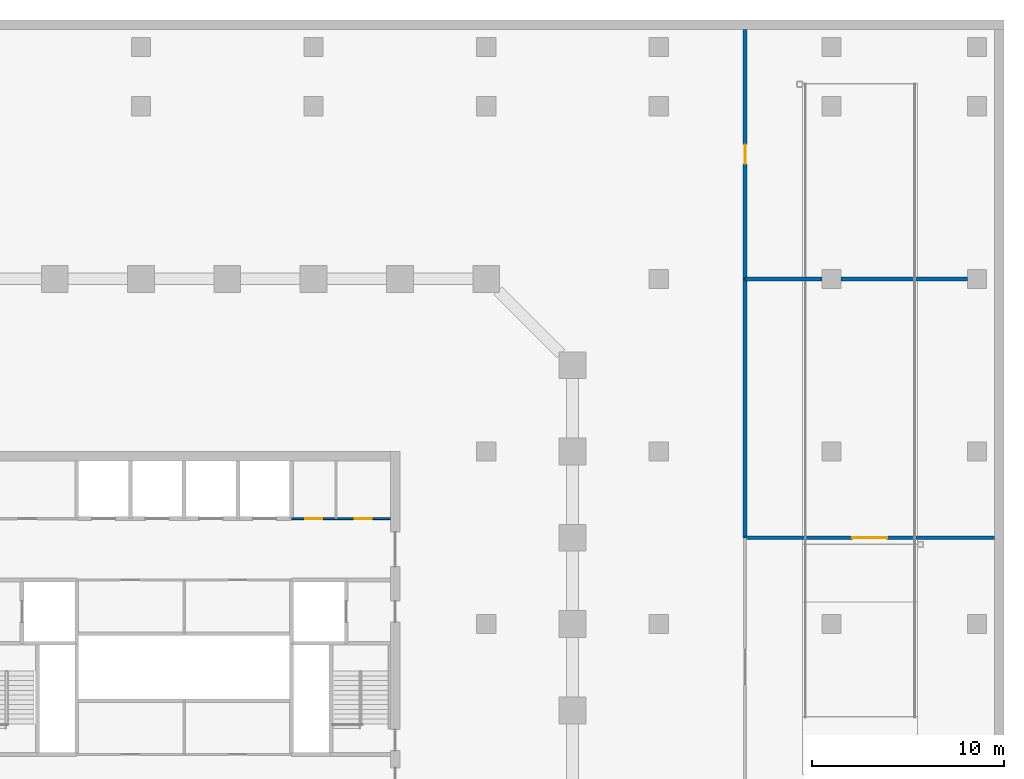
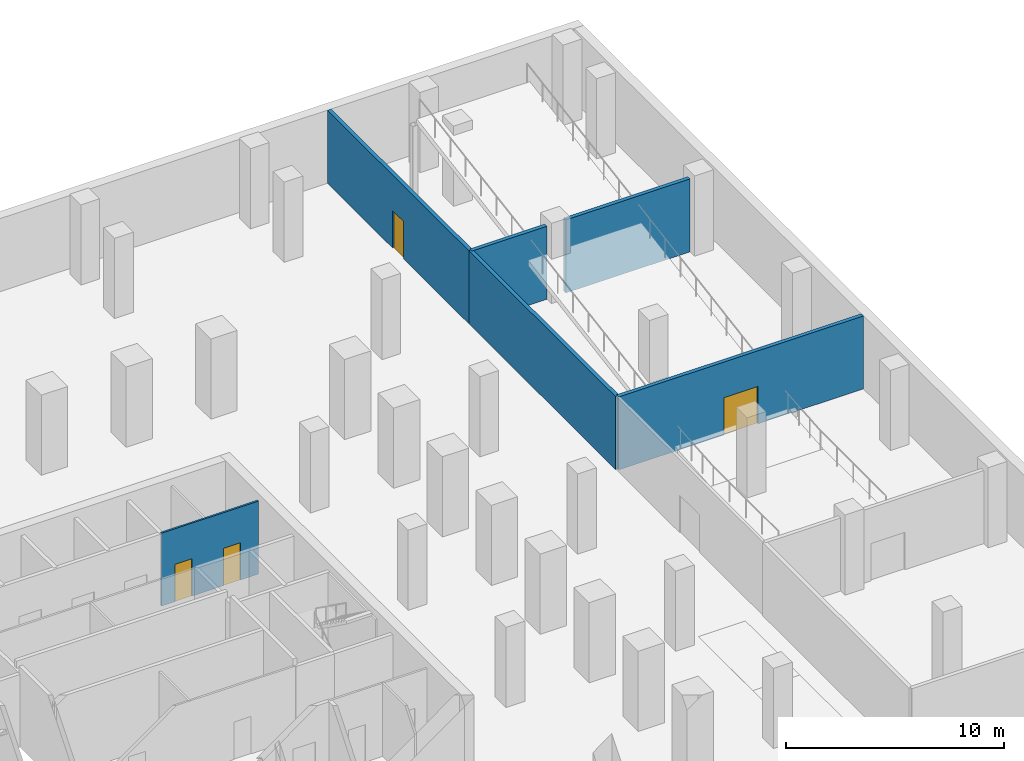
# One storey, part 13 of 16: 6 walls, 4 doors, 4 openings.
"""IFC4 building model written with IfcOpenShell, lengths in metres."""

from ifc_helpers import new_model, si_unit, direction, frame, frame_2d, origin, place, context, subcontext, project, spatial, rectangle, extrude, material, layer, layer_set, type_object, element, fill, save


model = new_model("IFC4")

# Units and contexts
model_context = context("Model", 3, precision=1e-05, world=origin(), true_north=direction((0.0, 1.0)))
body_context = subcontext(model_context, "Body", "Model", "MODEL_VIEW")
ifc_project = project(units=[si_unit("LENGTHUNIT", "METRE"), si_unit("AREAUNIT", "SQUARE_METRE"), si_unit("VOLUMEUNIT", "CUBIC_METRE"), si_unit("PLANEANGLEUNIT", "RADIAN"), si_unit("MASSUNIT", "GRAM", prefix="KILO")], contexts=[model_context])

# Site, building, storey
site_placement = place(None, origin())
site = spatial("IfcSite", under=ifc_project, at=site_placement, CompositionType="ELEMENT")
building_placement = place(site_placement, origin())
building = spatial("IfcBuilding", under=site, at=building_placement, Name="Quoin Convention Tower", CompositionType="ELEMENT")
storey_placement = place(building_placement, frame((0.0, 0.0, -4.5)))
storey = spatial("IfcBuildingStorey", under=building, at=storey_placement, Name="B1", CompositionType="ELEMENT", Elevation=-4.5)

# Wall, opening, door
ifc_material_1 = material(Name="Plasterboard")
ifc_layer_1 = layer(ifc_material_1, 0.012451171875, Name="Finish")
ifc_material_2 = material(Name="Steel stud framing", Category="steel")
ifc_layer_2 = layer(ifc_material_2, 0.175048828125, Name="Structure")
ifc_layer_3 = layer(ifc_material_1, 0.012451171875, Name="Finish")
ifc_layer_set_1 = layer_set([ifc_layer_1, ifc_layer_2, ifc_layer_3], Name="Steel stud framing")
wall_type_1 = type_object("IfcWallType", Name="Block wall 200", PredefinedType="PARTITIONING", material=ifc_layer_set_1)
wall_1_placement = place(storey_placement, frame((85.5, 67.5, 0.0), z_axis=(0.0, 0.0, 1.0), x_axis=(1.0, 0.0, 0.0)))
wall_1 = element("IfcWall", 1, at=wall_1_placement, inside=storey, type_object=wall_type_1, Name="pw-B1-019", PredefinedType="PARTITIONING", context=body_context, shape_type="SweptSolid", body=[
    extrude(rectangle(XDim=13.0, YDim=0.199951171875, at=frame_2d((6.5, 0.0))), origin(), (0.0, 0.0, 1.0), 4.10009765625),
])
opening_1_placement = place(wall_1_placement, frame((5.60009765625, 0.0, 0.0)))
opening_1 = element("IfcOpeningElement", 2, at=opening_1_placement, cuts=wall_1, Name="Opening DPDB1-08", PredefinedType="OPENING", context=body_context, shape_type="SweptSolid", body=[
    extrude(rectangle(XDim=1.800048828125, YDim=2.10009765625, at=frame_2d((0.89990234375, 1.050048828125))), frame((0.0, 0.10986328125, 0.0), z_axis=(0.0, -1.0, 0.0), x_axis=(1.0, 0.0, 0.0)), (0.0, 0.0, 1.0), 0.219970703125),
])
ifc_material_3 = material(Name="Steel door leaf", Category="steel")
door_type_1 = type_object("IfcDoorType", Name="Double leaf door 1800", OperationType="DOUBLE_DOOR_SINGLE_SWING", PredefinedType="DOOR", material=ifc_material_3)
door_1_placement = place(opening_1_placement, origin())
door_1 = element("IfcDoor", 3, at=door_1_placement, inside=storey, type_object=door_type_1, Name="dr-B1-009", OperationType="DOUBLE_DOOR_SINGLE_SWING", OverallHeight=2.10009765625, OverallWidth=1.800048828125, PredefinedType="DOOR", context=body_context, shape_type="SweptSolid", body=[
    extrude(rectangle(XDim=1.800048828125, YDim=2.10009765625, at=frame_2d((0.89990234375, 1.050048828125))), frame((0.0, 0.02490234375, 0.0), z_axis=(0.0, -1.0, 0.0), x_axis=(1.0, 0.0, 0.0)), (0.0, 0.0, 1.0), 0.050048828125),
])
fill(opening_1, door_1)

# Wall
wall_2_placement = place(storey_placement, frame((85.5, 67.5, 0.0), z_axis=(0.0, 0.0, 1.0), x_axis=(0.0, 1.0, 0.0)))
element("IfcWall", 4, at=wall_2_placement, inside=storey, type_object=wall_type_1, Name="pw-B1-020", PredefinedType="PARTITIONING", context=body_context, shape_type="SweptSolid", body=[
    extrude(rectangle(XDim=13.5, YDim=0.199951171875, at=frame_2d((6.75, 0.0))), origin(), (0.0, 0.0, 1.0), 4.10009765625),
])

# Wall, openings, doors
ifc_layer_4 = layer(ifc_material_1, 0.012451171875, Name="Finish")
ifc_layer_5 = layer(ifc_material_2, 0.074951171875, Name="Structure")
ifc_layer_6 = layer(ifc_material_1, 0.012451171875, Name="Finish")
ifc_layer_set_2 = layer_set([ifc_layer_4, ifc_layer_5, ifc_layer_6], Name="Steel stud framing")
wall_type_2 = type_object("IfcWallType", Name="Core partition wall", PredefinedType="PARTITIONING", material=ifc_layer_set_2)
wall_3_placement = place(storey_placement, frame((61.85009765625, 68.5, 0.0), z_axis=(0.0, 0.0, 1.0), x_axis=(1.0, 0.0, 0.0)))
wall_3 = element("IfcWall", 5, at=wall_3_placement, inside=storey, type_object=wall_type_2, Name="cr-C1-B1-h19000_16850", PredefinedType="PARTITIONING", context=body_context, shape_type="SweptSolid", body=[
    extrude(rectangle(XDim=5.14990234375, YDim=0.10009765625, at=frame_2d((2.574951171875, 0.0))), origin(), (0.0, 0.0, 1.0), 4.10009765625),
])
opening_2_placement = place(wall_3_placement, frame((3.28369140625, 0.0, 0.0)))
opening_2 = element("IfcOpeningElement", 6, at=opening_2_placement, cuts=wall_3, Name="Opening DCV0-08", PredefinedType="OPENING", context=body_context, shape_type="SweptSolid", body=[
    extrude(rectangle(XDim=0.89990234375, YDim=2.10009765625, at=frame_2d((0.449951171875, 1.050048828125))), frame((0.0, 0.06005859375, 0.0), z_axis=(0.0, -1.0, 0.0), x_axis=(1.0, 0.0, 0.0)), (0.0, 0.0, 1.0), 0.1201171875),
])
opening_3_placement = place(wall_3_placement, frame((0.708740234375, 0.0, 0.0)))
opening_3 = element("IfcOpeningElement", 7, at=opening_3_placement, cuts=wall_3, Name="Opening DCV0-05", PredefinedType="OPENING", context=body_context, shape_type="SweptSolid", body=[
    extrude(rectangle(XDim=0.89990234375, YDim=2.10009765625, at=frame_2d((0.449951171875, 1.050048828125))), frame((0.0, 0.06005859375, 0.0), z_axis=(0.0, -1.0, 0.0), x_axis=(1.0, 0.0, 0.0)), (0.0, 0.0, 1.0), 0.1201171875),
])
door_type_2 = type_object("IfcDoorType", Name="Core room door 900 x 2100", OperationType="SINGLE_SWING_LEFT", PredefinedType="DOOR", material=ifc_material_3)
door_2_placement = place(opening_2_placement, origin())
door_2 = element("IfcDoor", 8, at=door_2_placement, inside=storey, type_object=door_type_2, Name="cd-C1-B1-CNE0-lobB-CDB107", OperationType="SINGLE_SWING_RIGHT", OverallHeight=2.10009765625, OverallWidth=0.89990234375, PredefinedType="DOOR", context=body_context, shape_type="SweptSolid", body=[
    extrude(rectangle(XDim=0.89990234375, YDim=2.10009765625, at=frame_2d((0.449951171875, 1.050048828125))), frame((0.0, 0.02490234375, 0.0), z_axis=(0.0, -1.0, 0.0), x_axis=(1.0, 0.0, 0.0)), (0.0, 0.0, 1.0), 0.050048828125),
])
fill(opening_2, door_2)
door_3_placement = place(opening_3_placement, origin())
door_3 = element("IfcDoor", 9, at=door_3_placement, inside=storey, type_object=door_type_2, Name="cd-C1-B1-CNE1-lobB-CDB108", OperationType="SINGLE_SWING_LEFT", OverallHeight=2.10009765625, OverallWidth=0.89990234375, PredefinedType="DOOR", context=body_context, shape_type="SweptSolid", body=[
    extrude(rectangle(XDim=0.89990234375, YDim=2.10009765625, at=frame_2d((0.449951171875, 1.050048828125))), frame((0.0, 0.02490234375, 0.0), z_axis=(0.0, -1.0, 0.0), x_axis=(1.0, 0.0, 0.0)), (0.0, 0.0, 1.0), 0.050048828125),
])
fill(opening_3, door_3)

# Walls
ifc_layer_7 = layer(ifc_material_1, 0.012451171875, Name="Finish")
ifc_layer_8 = layer(ifc_material_2, 0.175048828125, Name="Structure")
ifc_layer_9 = layer(ifc_material_1, 0.012451171875, Name="Finish")
ifc_layer_set_3 = layer_set([ifc_layer_7, ifc_layer_8, ifc_layer_9], Name="Steel stud framing")
wall_type_3 = type_object("IfcWallType", Name="Plant room wall 200", PredefinedType="PARTITIONING", material=ifc_layer_set_3)
wall_4_placement = place(storey_placement, frame((85.5, 81.0, 0.0), z_axis=(0.0, 0.0, 1.0), x_axis=(1.0, 0.0, 0.0)))
element("IfcWall", 10, at=wall_4_placement, inside=storey, type_object=wall_type_3, Name="pw-B1-029", PredefinedType="PARTITIONING", context=body_context, shape_type="SweptSolid", body=[
    extrude(rectangle(XDim=4.0, YDim=0.199951171875, at=frame_2d((2.0, 0.0))), origin(), (0.0, 0.0, 1.0), 4.10009765625),
])
wall_5_placement = place(storey_placement, frame((90.5, 81.0, 0.0), z_axis=(0.0, 0.0, 1.0), x_axis=(1.0, 0.0, 0.0)))
element("IfcWall", 11, at=wall_5_placement, inside=storey, type_object=wall_type_3, Name="pw-B1-030", PredefinedType="PARTITIONING", context=body_context, shape_type="SweptSolid", body=[
    extrude(rectangle(XDim=6.60009765625, YDim=0.199951171875, at=frame_2d((3.300048828125, 0.0))), origin(), (0.0, 0.0, 1.0), 4.10009765625),
])

# Wall, opening, door
wall_6_placement = place(storey_placement, frame((85.5, 81.0, 0.0), z_axis=(0.0, 0.0, 1.0), x_axis=(0.0, 1.0, 0.0)))
wall_6 = element("IfcWall", 12, at=wall_6_placement, inside=storey, type_object=wall_type_3, Name="pw-B1-031", PredefinedType="PARTITIONING", context=body_context, shape_type="SweptSolid", body=[
    extrude(rectangle(XDim=13.0, YDim=0.199951171875, at=frame_2d((6.5, 0.0))), origin(), (0.0, 0.0, 1.0), 4.10009765625),
])
opening_4_placement = place(wall_6_placement, frame((6.0, 0.0, 0.0)))
opening_4 = element("IfcOpeningElement", 13, at=opening_4_placement, cuts=wall_6, Name="Opening DPDB1-11", PredefinedType="OPENING", context=body_context, shape_type="SweptSolid", body=[
    extrude(rectangle(XDim=1.0, YDim=2.10009765625, at=frame_2d((0.5, 1.050048828125))), frame((0.0, 0.10986328125, 0.0), z_axis=(0.0, -1.0, 0.0), x_axis=(1.0, 0.0, 0.0)), (0.0, 0.0, 1.0), 0.219970703125),
])
door_type_3 = type_object("IfcDoorType", Name="Plant door 1000", OperationType="SINGLE_SWING_RIGHT", PredefinedType="DOOR", material=ifc_material_3)
door_4_placement = place(opening_4_placement, origin())
door_4 = element("IfcDoor", 14, at=door_4_placement, inside=storey, type_object=door_type_3, Name="dr-B1-010", OperationType="SINGLE_SWING_RIGHT", OverallHeight=2.10009765625, OverallWidth=1.0, PredefinedType="DOOR", context=body_context, shape_type="SweptSolid", body=[
    extrude(rectangle(XDim=1.0, YDim=2.10009765625, at=frame_2d((0.5, 1.050048828125))), frame((0.0, 0.02490234375, 0.0), z_axis=(0.0, -1.0, 0.0), x_axis=(1.0, 0.0, 0.0)), (0.0, 0.0, 1.0), 0.050048828125),
])
fill(opening_4, door_4)

save(model, "model.ifc")
